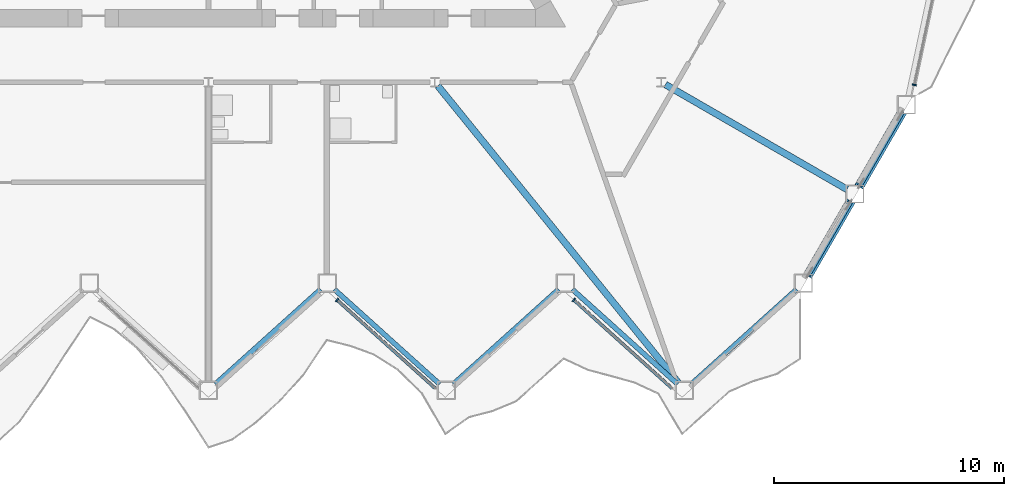
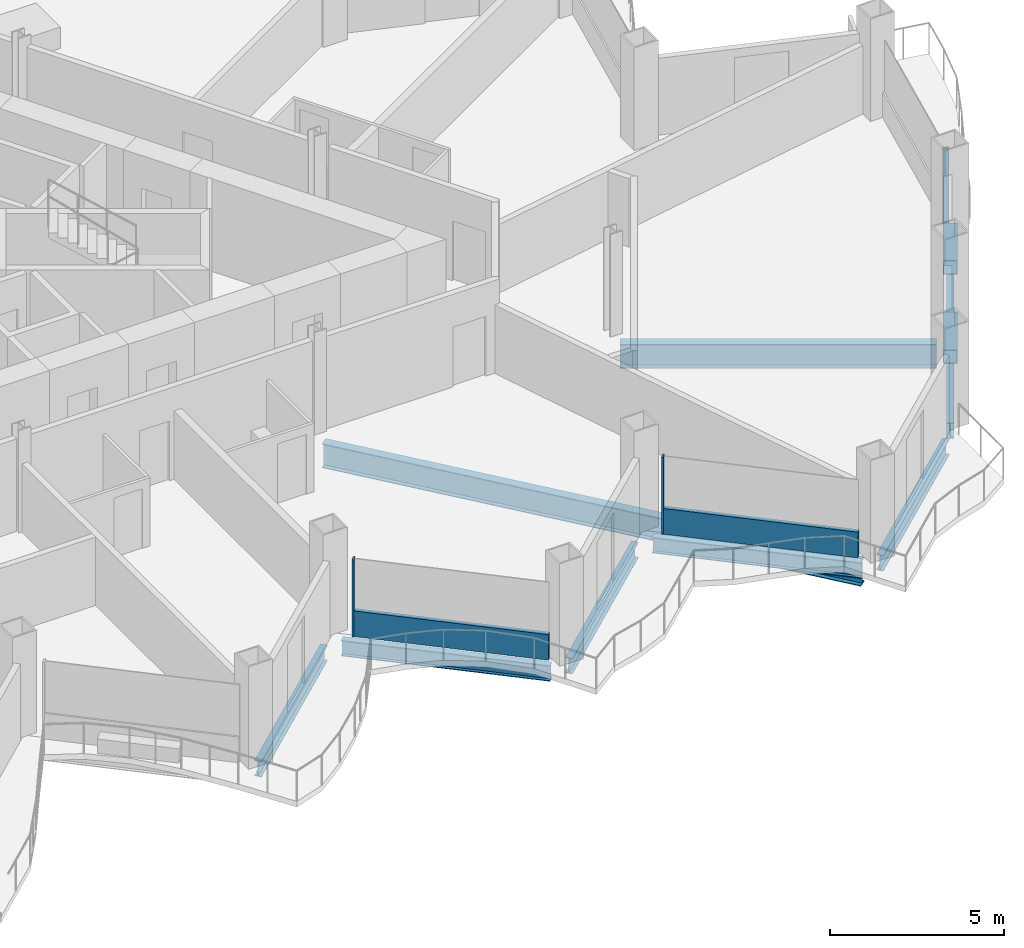
# One storey, part 5 of 22: 9 beams, 7 members, 3 elements without a shape of their own.
"""IFC4 building model written with IfcOpenShell, lengths in metres."""

import ifcopenshell
import ifcopenshell.guid

model = None  # the IFC model being written
_history = None  # IfcOwnerHistory: only IFC2X3 demands one
_inside = {}  # id of a spatial element -> (the spatial element, [elements in it])
_under = {}  # id of a project, library or spatial element -> (it, [spatial elements below it])
_declared = {}  # id of a project -> (the project, [libraries it declares])
_typed = {}  # id of a type object -> (the type object, [elements of that type])
_made_of = {}  # id of a material, layer set ... -> (it, [elements and type objects made of it])


def new_model(schema):
    """Start an empty IFC model of exactly this schema.

    Asked for "IFC4X3", IfcOpenShell would pick the latest addendum, in which some entities
    have other attributes; the version numbers below select the first issue.
    IFC2X3 requires an IfcOwnerHistory on every rooted entity: one is made here for all.
    """
    global model, _history
    if schema == "IFC4X3":
        model = ifcopenshell.file(schema_version=(4, 3, 0, 0))
    else:
        model = ifcopenshell.file(schema=schema)
    _inside.clear()
    _under.clear()
    _declared.clear()
    _typed.clear()
    _made_of.clear()
    _history = None
    if model.schema == "IFC2X3":
        org = make("IfcOrganization", Name="unknown")
        user = make(
            "IfcPersonAndOrganization",
            ThePerson=make("IfcPerson", FamilyName="unknown"),
            TheOrganization=org,
        )
        app = make(
            "IfcApplication",
            ApplicationDeveloper=org,
            Version="unknown",
            ApplicationFullName="unknown",
            ApplicationIdentifier="unknown",
        )
        _history = make(
            "IfcOwnerHistory",
            OwningUser=user,
            OwningApplication=app,
            ChangeAction="ADDED",
            CreationDate=0,
        )
    return model


def make(cls, **values):
    """One entity of the class cls with the attributes given. An attribute that is None is left unset."""
    return model.create_entity(
        cls, **{name: value for name, value in values.items() if value is not None}
    )


def rooted(cls, **values):
    """An entity with a GlobalId (a new one), such as an element, a storey or a relation."""
    return make(cls, GlobalId=ifcopenshell.guid.new(), OwnerHistory=_history, **values)


def si_unit(unit_type, name, prefix=None):
    """IfcSIUnit, for example si_unit("LENGTHUNIT", "METRE", prefix="MILLI")."""
    return make("IfcSIUnit", UnitType=unit_type, Prefix=prefix, Name=name)


def assignment(units):
    """IfcUnitAssignment: the units of a project."""
    return None if units is None else make("IfcUnitAssignment", Units=units)


def point(xyz):
    """IfcCartesianPoint."""
    return None if xyz is None else make("IfcCartesianPoint", Coordinates=xyz)


def direction(xyz):
    """IfcDirection."""
    return None if xyz is None else make("IfcDirection", DirectionRatios=xyz)


def frame(location, z_axis=None, x_axis=None):
    """IfcAxis2Placement3D, a coordinate frame: its origin and axes. An axis left out is left unset."""
    return make(
        "IfcAxis2Placement3D",
        Location=point(location),
        Axis=direction(z_axis),
        RefDirection=direction(x_axis),
    )


def frame_2d(location, x_axis=None):
    """IfcAxis2Placement2D, a coordinate frame in the plane: its origin and x axis."""
    return make(
        "IfcAxis2Placement2D", Location=point(location), RefDirection=direction(x_axis)
    )


def origin():
    """The frame at (0, 0, 0) with its axes left unset."""
    return frame((0.0, 0.0, 0.0))


def origin_2d():
    """The frame at (0, 0) in the plane with its x axis left unset."""
    return frame_2d((0.0, 0.0))


def place(relative_to, where):
    """IfcLocalPlacement: puts the frame where relative to a parent placement (None: the world)."""
    return make(
        "IfcLocalPlacement", PlacementRelTo=relative_to, RelativePlacement=where
    )


def context(
    kind, dimensions, precision=None, world=None, true_north=None, identifier=None
):
    """IfcGeometricRepresentationContext, for example the 3D "Model" context."""
    return make(
        "IfcGeometricRepresentationContext",
        ContextIdentifier=identifier,
        ContextType=kind,
        CoordinateSpaceDimension=dimensions,
        Precision=precision,
        WorldCoordinateSystem=world,
        TrueNorth=true_north,
    )


def subcontext(parent, identifier, kind, view, scale=None):
    """IfcGeometricRepresentationSubContext, for example "Body" below "Model"."""
    return make(
        "IfcGeometricRepresentationSubContext",
        ContextIdentifier=identifier,
        ContextType=kind,
        ParentContext=parent,
        TargetScale=scale,
        TargetView=view,
    )


def project(units=None, contexts=None):
    """IfcProject with its units and contexts."""
    return rooted(
        "IfcProject",
        Name="project",
        RepresentationContexts=contexts,
        UnitsInContext=assignment(units),
    )


def spatial(cls, under=None, at=None, **own):
    """A site, building, storey or space (cls), placed at a placement, below another one or the project."""
    s = rooted(cls, ObjectPlacement=at, **own)
    if under is not None:
        _under.setdefault(under.id(), (under, []))[1].append(s)
    return s


def profile(cls, at=None, kind="AREA", **sizes):
    """A parametric profile (cls). Its sizes go by their IFC names, for example OverallWidth=200.0."""
    return make(cls, ProfileType=kind, Position=at, **sizes)


def rectangle(**sizes):
    """IfcRectangleProfileDef."""
    return profile("IfcRectangleProfileDef", **sizes)


def hollow_rectangle(**sizes):
    """IfcRectangleHollowProfileDef."""
    return profile("IfcRectangleHollowProfileDef", **sizes)


def i_section(**sizes):
    """IfcIShapeProfileDef."""
    return profile("IfcIShapeProfileDef", **sizes)


def extrude(swept, where, along, depth):
    """IfcExtrudedAreaSolid: the profile swept, set in the frame where, extruded along a direction by depth."""
    return make(
        "IfcExtrudedAreaSolid",
        SweptArea=swept,
        Position=where,
        ExtrudedDirection=direction(along),
        Depth=depth,
    )


def shape(context_of_items, identifier, shape_type, items):
    """IfcShapeRepresentation: the items that make up one representation, for example the "Body"."""
    return make(
        "IfcShapeRepresentation",
        ContextOfItems=context_of_items,
        RepresentationIdentifier=identifier,
        RepresentationType=shape_type,
        Items=items,
    )


def material(Name=None, Category=None):
    """IfcMaterial."""
    return make("IfcMaterial", Name=Name, Category=Category)


def layer(
    of_material, thickness, ventilated=None, Name=None, Category=None, Priority=None
):
    """IfcMaterialLayer: one layer of a wall or slab, of a material (None: an air gap)."""
    return make(
        "IfcMaterialLayer",
        Material=of_material,
        LayerThickness=thickness,
        IsVentilated=ventilated,
        Name=Name,
        Category=Category,
        Priority=Priority,
    )


def layer_set(layers, Name=None):
    """IfcMaterialLayerSet."""
    return make("IfcMaterialLayerSet", MaterialLayers=layers, LayerSetName=Name)


def material_profile(
    of_material, cross_section, Name=None, Category=None, Priority=None
):
    """IfcMaterialProfile: a cross section and its material."""
    return make(
        "IfcMaterialProfile",
        Name=Name,
        Material=of_material,
        Profile=cross_section,
        Priority=Priority,
        Category=Category,
    )


def profile_set(profiles, Name=None, composite=None):
    """IfcMaterialProfileSet."""
    return make(
        "IfcMaterialProfileSet",
        Name=Name,
        MaterialProfiles=profiles,
        CompositeProfile=composite,
    )


def made_of(thing, what):
    """Note that an element or type object is made of a material, layer set ...; save() writes the relation."""
    if what is not None:
        _made_of.setdefault(what.id(), (what, []))[1].append(thing)
    return thing


def type_object(cls, material=None, **own):
    """A type object (cls), such as IfcWallType, which elements share."""
    return made_of(rooted(cls, **own), material)


def element(
    cls,
    number,
    at=None,
    inside=None,
    cuts=None,
    type_object=None,
    material=None,
    context=None,
    identifier="Body",
    shape_type=None,
    held_by="IfcProductDefinitionShape",
    body=None,
    shapes=None,
    **own,
):
    """One element of the class cls, such as IfcWall. Its Tag is "e" and its number.

    at: its placement. inside: the storey or other place that contains it. cuts: it is an
    opening in that element (IfcRelVoidsElement). A single representation is given by context,
    identifier, shape_type and body (its items); several are given by shapes. held_by: the class
    of the entity that holds the representations. save() writes the other relations.
    """
    e = rooted(cls, Tag="e%d" % number, ObjectPlacement=at, **own)
    if body is not None:
        shapes = [shape(context, identifier, shape_type, body)]
    if shapes is not None:
        e.Representation = make(held_by, Representations=shapes)
    if inside is not None:
        _inside.setdefault(inside.id(), (inside, []))[1].append(e)
    if cuts is not None:
        rooted(
            "IfcRelVoidsElement", RelatingBuildingElement=cuts, RelatedOpeningElement=e
        )
    if type_object is not None:
        _typed.setdefault(type_object.id(), (type_object, []))[1].append(e)
    return made_of(e, material)


def aggregate(whole, parts):
    """IfcRelAggregates: a whole, such as a stair, and the parts it consists of."""
    return rooted("IfcRelAggregates", RelatingObject=whole, RelatedObjects=parts)


def save(model, path):
    """Write the relations noted so far, then the file.

    IfcRelAggregates (storeys below a building ...), IfcRelContainedInSpatialStructure (elements
    in a storey), IfcRelDefinesByType, IfcRelAssociatesMaterial and IfcRelDeclares: one each for
    every whole, place, type object, material and project.
    """
    for whole, parts in _under.values():
        aggregate(whole, parts)
    for where, things in _inside.values():
        rooted(
            "IfcRelContainedInSpatialStructure",
            RelatedElements=things,
            RelatingStructure=where,
        )
    for kind, things in _typed.values():
        rooted("IfcRelDefinesByType", RelatedObjects=things, RelatingType=kind)
    for what, things in _made_of.values():
        rooted("IfcRelAssociatesMaterial", RelatedObjects=things, RelatingMaterial=what)
    for by, libraries in _declared.values():
        rooted("IfcRelDeclares", RelatingContext=by, RelatedDefinitions=libraries)
    model.write(path)


model = new_model("IFC4")

# Units and contexts
model_context = context("Model", 3, precision=1e-05, world=origin(), true_north=direction((0.0, 1.0)))
body_context = subcontext(model_context, "Body", "Model", "MODEL_VIEW")
ifc_project = project(units=[si_unit("LENGTHUNIT", "METRE"), si_unit("AREAUNIT", "SQUARE_METRE"), si_unit("VOLUMEUNIT", "CUBIC_METRE"), si_unit("PLANEANGLEUNIT", "RADIAN"), si_unit("MASSUNIT", "GRAM", prefix="KILO")], contexts=[model_context])

# Site, building, storey
site_placement = place(None, origin())
site = spatial("IfcSite", under=ifc_project, at=site_placement, CompositionType="ELEMENT")
building_placement = place(site_placement, origin())
building = spatial("IfcBuilding", under=site, at=building_placement, Name="Cormorant Prow Tower", CompositionType="ELEMENT")
storey_placement = place(building_placement, frame((0.0, 0.0, 190.800048828125)))
storey = spatial("IfcBuildingStorey", under=building, at=storey_placement, Name="L41", CompositionType="ELEMENT", Elevation=190.800048828125)

# Members
ifc_material_1 = material(Name="Structural steel ASTM A500 Gr C", Category="steel")
ifc_material_profile_1 = material_profile(ifc_material_1, hollow_rectangle(XDim=0.406494140625, YDim=0.406494140625, WallThickness=0.01171875, at=origin_2d()), Name="HSS16x16x1/2")
ifc_profile_set_1 = profile_set([ifc_material_profile_1], Name="Structural steel ASTM A500 Gr C")
member_type_1 = type_object("IfcMemberType", Name="Chamfer brace HSS16x16x1/2", PredefinedType="BRACE", material=ifc_profile_set_1)
member_1_placement = place(storey_placement, frame((27.850341796875, -16.56103515625, 0.739990234375), z_axis=(-0.474017648602, -0.820985582338, 0.318260808783), x_axis=(0.866015628144, -0.500016931523, 0.0)))
element("IfcMember", 1, at=member_1_placement, inside=storey, type_object=member_type_1, Name="Chamfer brace BR2 at ESE00 L41", PredefinedType="BRACE", context=body_context, shape_type="SweptSolid", body=[
    extrude(hollow_rectangle(XDim=0.406494140625, YDim=0.406494140625, WallThickness=0.01171875, at=origin_2d()), origin(), (0.0, 0.0, 1.0), 3.83544921875),
])
member_2_placement = place(storey_placement, frame((30.08544921875, -12.689453125, 0.739990234375), z_axis=(-0.473992878603, -0.821006330213, 0.318244177926), x_axis=(0.866032413668, -0.499987858329, 0.0)))
element("IfcMember", 2, at=member_2_placement, inside=storey, type_object=member_type_1, Name="Chamfer brace BR2 at ESE01 L41", PredefinedType="BRACE", context=body_context, shape_type="SweptSolid", body=[
    extrude(hollow_rectangle(XDim=0.406494140625, YDim=0.406494140625, WallThickness=0.01171875, at=origin_2d()), origin(), (0.0, 0.0, 1.0), 3.835693359375),
])

# Curtain wall, member
ifc_material_2 = material(Name="Aluminium 6063-T6", Category="aluminium")
ifc_layer = layer(ifc_material_2, 0.179931640625)
ifc_layer_set = layer_set([ifc_layer], Name="Aluminium 6063-T6")
curtain_wall_type = type_object("IfcCurtainWallType", Name="Hotel unitised curtain wall 180", PredefinedType="NOTDEFINED", material=ifc_layer_set)
curtain_wall_1_placement = place(storey_placement, origin())
curtain_wall_1 = element("IfcCurtainWall", 3, at=curtain_wall_1_placement, inside=storey, type_object=curtain_wall_type, Name="Hotel curtain wall S06", PredefinedType="NOTDEFINED")
ifc_material_3 = material(Name="Aluminium 6063-T6", Category="aluminium")
ifc_material_profile_2 = material_profile(ifc_material_3, rectangle(XDim=0.179931640625, YDim=0.06005859375, at=origin_2d()), Name="Hotel mullion 60x180")
ifc_profile_set_2 = profile_set([ifc_material_profile_2], Name="Aluminium 6063-T6")
member_type_2 = type_object("IfcMemberType", Name="Hotel mullion 60x180", PredefinedType="MULLION", material=ifc_profile_set_2)
member_3_placement = place(storey_placement, frame((5.5830078125, -20.799072265625, 0.0), z_axis=(0.0, 0.0, 1.0), x_axis=(0.66913059916, 0.743144831959, 0.0)))
member_3 = element("IfcMember", 4, at=member_3_placement, type_object=member_type_2, Name="Hotel mullion S06", PredefinedType="MULLION", context=body_context, shape_type="SweptSolid", body=[
    extrude(rectangle(XDim=0.179931640625, YDim=0.06005859375, at=origin_2d()), origin(), (0.0, 0.0, 1.0), 2.700927734375),
])

curtain_wall_2_placement = place(storey_placement, origin())
curtain_wall_2 = element("IfcCurtainWall", 5, at=curtain_wall_2_placement, inside=storey, type_object=curtain_wall_type, Name="Hotel curtain wall S08", PredefinedType="NOTDEFINED")
member_4_placement = place(storey_placement, frame((15.85986328125, -20.799072265625, 0.0), z_axis=(0.0, 0.0, 1.0), x_axis=(0.66913059916, 0.743144831959, 0.0)))
member_4 = element("IfcMember", 6, at=member_4_placement, type_object=member_type_2, Name="Hotel mullion S08", PredefinedType="MULLION", context=body_context, shape_type="SweptSolid", body=[
    extrude(rectangle(XDim=0.179931640625, YDim=0.06005859375, at=origin_2d()), origin(), (0.0, 0.0, 1.0), 2.700927734375),
])

curtain_wall_3_placement = place(storey_placement, origin())
curtain_wall_3 = element("IfcCurtainWall", 7, at=curtain_wall_3_placement, inside=storey, type_object=curtain_wall_type, Name="Hotel curtain wall ENE00", PredefinedType="NOTDEFINED")
member_5_placement = place(storey_placement, frame((30.63671875, -11.466064453125, 0.0), z_axis=(0.0, 0.0, 1.0), x_axis=(-0.978147607432, 0.207911659303, 0.0)))
member_5 = element("IfcMember", 8, at=member_5_placement, type_object=member_type_2, Name="Hotel mullion ENE00", PredefinedType="MULLION", context=body_context, shape_type="SweptSolid", body=[
    extrude(rectangle(XDim=0.179931640625, YDim=0.06005859375, at=origin_2d()), origin(), (0.0, 0.0, 1.0), 2.700927734375),
])
aggregate(curtain_wall_3, [member_5])

# Member
ifc_material_4 = material(Name="Terracotta", Category="masonry")
ifc_material_profile_3 = material_profile(ifc_material_4, rectangle(XDim=0.139892578125, YDim=0.89990234375, at=origin_2d()), Name="Hotel terracotta spandrel rail 140x900")
ifc_profile_set_3 = profile_set([ifc_material_profile_3], Name="Terracotta")
member_type_3 = type_object("IfcMemberType", Name="Hotel terracotta spandrel rail 140x900", PredefinedType="USERDEFINED", material=ifc_profile_set_3)
member_6_placement = place(storey_placement, frame((5.605224609375, -20.819091796875, 0.449951171875), z_axis=(0.743130669923, -0.669146327361, 0.0), x_axis=(0.669146327361, 0.743130669923, 0.0)))
member_6 = element("IfcMember", 9, at=member_6_placement, type_object=member_type_3, Name="Hotel spandrel rail S06", ObjectType="TRANSOM", PredefinedType="USERDEFINED", context=body_context, shape_type="SweptSolid", body=[
    extrude(rectangle(XDim=0.139892578125, YDim=0.89990234375, at=origin_2d()), origin(), (0.0, 0.0, 1.0), 5.71875),
])

aggregate(curtain_wall_1, [member_3, member_6])

member_7_placement = place(storey_placement, frame((15.88232421875, -20.819091796875, 0.449951171875), z_axis=(0.743130669923, -0.669146327361, 0.0), x_axis=(0.669146327361, 0.743130669923, 0.0)))
member_7 = element("IfcMember", 10, at=member_7_placement, type_object=member_type_3, Name="Hotel spandrel rail S08", ObjectType="TRANSOM", PredefinedType="USERDEFINED", context=body_context, shape_type="SweptSolid", body=[
    extrude(rectangle(XDim=0.139892578125, YDim=0.89990234375, at=origin_2d()), origin(), (0.0, 0.0, 1.0), 5.71875),
])

aggregate(curtain_wall_2, [member_4, member_7])

# Beams
ifc_material_5 = material(Name="Structural steel ASTM A992 Gr 50", Category="steel")
ifc_material_profile_4 = material_profile(ifc_material_5, i_section(OverallWidth=0.29296875, OverallDepth=0.845703125, WebThickness=0.015380859375, FlangeThickness=0.0244140625, at=origin_2d()), Name="W33x141")
ifc_profile_set_4 = profile_set([ifc_material_profile_4], Name="Structural steel ASTM A992 Gr 50")
beam_type_1 = type_object("IfcBeamType", Name="Radial floor beam W33x141", PredefinedType="BEAM", material=ifc_profile_set_4)
beam_1_placement = place(storey_placement, frame((9.95654296875, -11.50732421875, -0.77294921875), z_axis=(0.629385162657, -0.777093505974, 0.0), x_axis=(0.777093505974, 0.629385162657, 0.0)))
element("IfcBeam", 11, at=beam_1_placement, inside=storey, type_object=beam_type_1, Name="Radial floor beam FB2 8 L41", PredefinedType="BEAM", context=body_context, shape_type="SweptSolid", body=[
    extrude(i_section(OverallWidth=0.29296875, OverallDepth=0.845703125, WebThickness=0.015380859375, FlangeThickness=0.0244140625, at=origin_2d()), origin(), (0.0, 0.0, 1.0), 16.6044921875),
])
beam_2_placement = place(storey_placement, frame((19.833251953125, -11.45068359375, -0.77294921875), z_axis=(0.866023373109, -0.500003517217, 0.0), x_axis=(0.500003517217, 0.866023373109, 0.0)))
element("IfcBeam", 12, at=beam_2_placement, inside=storey, type_object=beam_type_1, Name="Radial floor beam FB2 9 L41", PredefinedType="BEAM", context=body_context, shape_type="SweptSolid", body=[
    extrude(i_section(OverallWidth=0.29296875, OverallDepth=0.845703125, WebThickness=0.015380859375, FlangeThickness=0.0244140625, at=origin_2d()), origin(), (0.0, 0.0, 1.0), 9.09814453125),
])
ifc_material_6 = material(Name="Structural steel ASTM A992 Gr 50", Category="steel")
ifc_material_profile_5 = material_profile(ifc_material_6, i_section(OverallWidth=0.2138671875, OverallDepth=0.549072265625, WebThickness=0.0146484375, FlangeThickness=0.023681640625, at=origin_2d()), Name="W21x93")
ifc_profile_set_5 = profile_set([ifc_material_profile_5], Name="Structural steel ASTM A992 Gr 50")
beam_type_2 = type_object("IfcBeamType", Name="Spandrel beam W21x93", PredefinedType="SPANDREL", material=ifc_profile_set_5)
beam_3_placement = place(storey_placement, frame((0.29736328125, -24.453857421875, -0.62451171875), z_axis=(0.743138178716, 0.669137988261, 0.0), x_axis=(-0.669137988261, 0.743138178716, 0.0)))
element("IfcBeam", 13, at=beam_3_placement, inside=storey, type_object=beam_type_2, Name="Spandrel beam SB2 S05-S06 L41", PredefinedType="SPANDREL", context=body_context, shape_type="SweptSolid", body=[
    extrude(i_section(OverallWidth=0.2138671875, OverallDepth=0.549072265625, WebThickness=0.0146484375, FlangeThickness=0.023681640625, at=origin_2d()), origin(), (0.0, 0.0, 1.0), 6.149658203125),
])
beam_4_placement = place(storey_placement, frame((5.4619140625, -20.3388671875, -0.62451171875), z_axis=(0.743155953285, -0.669118247469, 0.0), x_axis=(0.669118247469, 0.743155953285, 0.0)))
element("IfcBeam", 14, at=beam_4_placement, inside=storey, type_object=beam_type_2, Name="Spandrel beam SB2 S06-S07 L41", PredefinedType="SPANDREL", context=body_context, shape_type="SweptSolid", body=[
    extrude(i_section(OverallWidth=0.2138671875, OverallDepth=0.549072265625, WebThickness=0.0146484375, FlangeThickness=0.023681640625, at=origin_2d()), origin(), (0.0, 0.0, 1.0), 6.14990234375),
])
for number, where, z_axis, x_axis, name in (
    (15, (10.626708984375, -24.453857421875, -0.62451171875), (0.743138178716, 0.669137988261, 0.0), (-0.669137988261, 0.743138178716, 0.0), "Spandrel beam SB2 S07-S08 L41"),
    (16, (15.79150390625, -20.3388671875, -0.62451171875), (0.743138178716, -0.669137988261, 0.0), (0.669137988261, 0.743138178716, 0.0), "Spandrel beam SB2 S08-S09 L41"),
):
    element("IfcBeam", number, at=place(storey_placement, frame(where, z_axis=z_axis, x_axis=x_axis)), inside=storey, type_object=beam_type_2, Name=name, PredefinedType="SPANDREL", context=body_context, shape_type="SweptSolid", body=[
        extrude(i_section(OverallWidth=0.2138671875, OverallDepth=0.549072265625, WebThickness=0.0146484375, FlangeThickness=0.023681640625, at=origin_2d()), origin(), (0.0, 0.0, 1.0), 6.149658203125),
    ])
beam_5_placement = place(storey_placement, frame((20.9560546875, -24.453857421875, -0.62451171875), z_axis=(0.743155953285, 0.669118247469, 0.0), x_axis=(-0.669118247469, 0.743155953285, 0.0)))
element("IfcBeam", 17, at=beam_5_placement, inside=storey, type_object=beam_type_2, Name="Spandrel beam SB2 S09-ESE00 L41", PredefinedType="SPANDREL", context=body_context, shape_type="SweptSolid", body=[
    extrude(i_section(OverallWidth=0.2138671875, OverallDepth=0.549072265625, WebThickness=0.0146484375, FlangeThickness=0.023681640625, at=origin_2d()), origin(), (0.0, 0.0, 1.0), 6.14990234375),
])
for number, where, z_axis, x_axis, name in (
    (18, (26.023681640625, -19.724853515625, -0.62451171875), (0.499994986164, 0.866028298505, 0.0), (-0.866028298505, 0.499994986164, 0.0), "Spandrel beam SB2 ESE00-ESE01 L41"),
    (19, (28.2587890625, -15.853271484375, -0.62451171875), (0.499994986164, 0.866028298505, 0.0), (-0.866028298505, 0.499994986164, 0.0), "Spandrel beam SB2 ESE01-ENE00 L41"),
):
    element("IfcBeam", number, at=place(storey_placement, frame(where, z_axis=z_axis, x_axis=x_axis)), inside=storey, type_object=beam_type_2, Name=name, PredefinedType="SPANDREL", context=body_context, shape_type="SweptSolid", body=[
        extrude(i_section(OverallWidth=0.2138671875, OverallDepth=0.549072265625, WebThickness=0.0146484375, FlangeThickness=0.023681640625, at=origin_2d()), origin(), (0.0, 0.0, 1.0), 3.67041015625),
    ])

save(model, "model.ifc")
